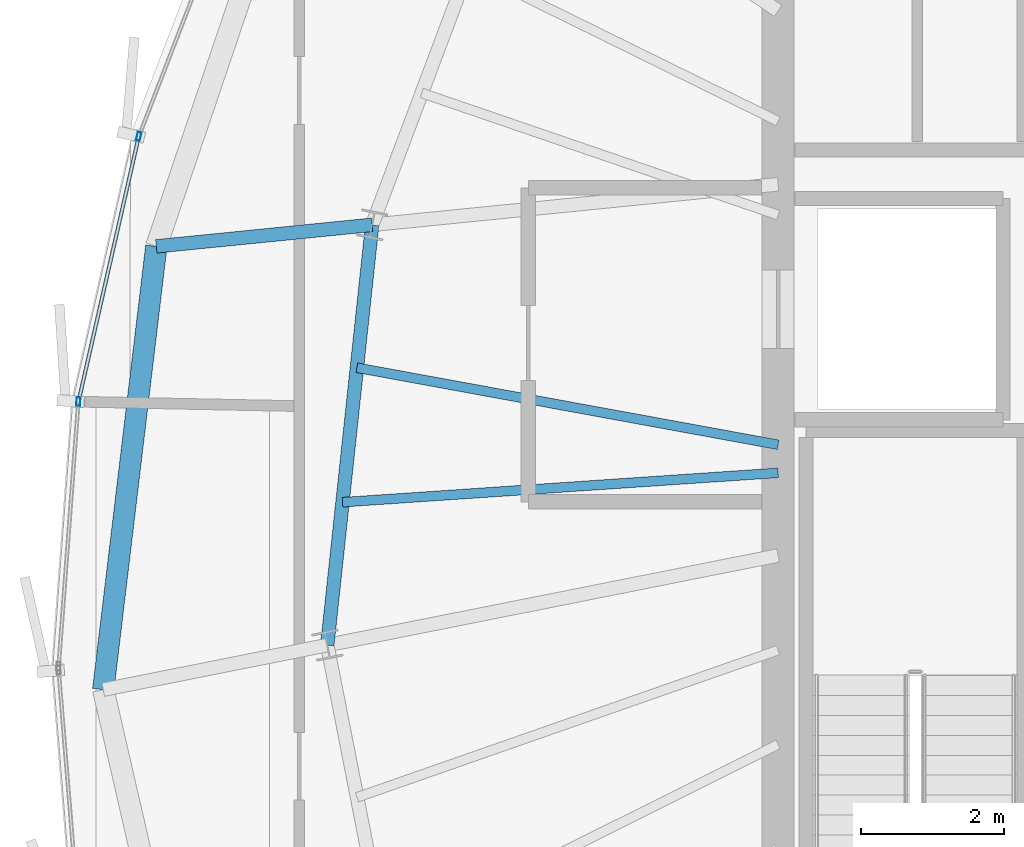
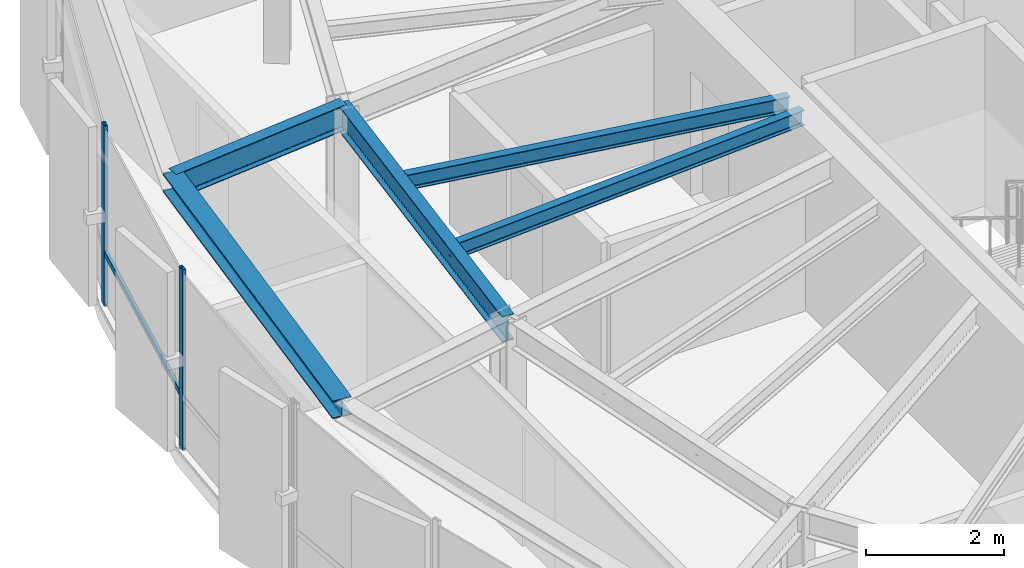
# One storey, part 11 of 30: 5 beams, 3 members, 1 element without a shape of its own.
"""IFC4 building model written with IfcOpenShell, lengths in metres."""

from ifc_helpers import new_model, si_unit, direction, frame, origin, origin_2d, place, context, subcontext, project, spatial, hollow_rectangle, i_section, extrude, source, transform, mapped, material, layer, layer_set, material_profile, profile_set, type_object, element, aggregate, save


model = new_model("IFC4")

# Units and contexts
model_context = context("Model", 3, precision=1e-05, world=origin(), true_north=direction((0.0, 1.0)))
body_context = subcontext(model_context, "Body", "Model", "MODEL_VIEW")
ifc_project = project(units=[si_unit("LENGTHUNIT", "METRE"), si_unit("AREAUNIT", "SQUARE_METRE"), si_unit("VOLUMEUNIT", "CUBIC_METRE"), si_unit("PLANEANGLEUNIT", "RADIAN"), si_unit("MASSUNIT", "GRAM", prefix="KILO"), si_unit("THERMODYNAMICTEMPERATUREUNIT", "KELVIN")], contexts=[model_context])

# Site, building, storey
site_placement = place(None, origin())
site = spatial("IfcSite", under=ifc_project, at=site_placement, CompositionType="ELEMENT")
building_placement = place(site_placement, origin())
building = spatial("IfcBuilding", under=site, at=building_placement, Name="Kethvar Cultural Tower", CompositionType="ELEMENT")
storey_placement = place(building_placement, frame((0.0, 0.0, 293.949951171875)))
storey = spatial("IfcBuildingStorey", under=building, at=storey_placement, Name="L78", CompositionType="ELEMENT", Elevation=293.949951171875)

# Beams
ifc_material_1 = material(Name="Steel S355J2", Category="steel")
ifc_material_profile_1 = material_profile(ifc_material_1, i_section(OverallWidth=0.18994140625, OverallDepth=0.449951171875, WebThickness=0.009521484375, FlangeThickness=0.0146484375, FilletRadius=0.02099609375, at=origin_2d()), Name="Steel S355J2 — IPE450")
ifc_profile_set_1 = profile_set([ifc_material_profile_1], Name="Steel S355J2 — IPE450")
beam_type_1 = type_object("IfcBeamType", Name="BM-IPE450", PredefinedType="BEAM", material=ifc_profile_set_1)
shared_shape_1 = source(origin(), body_context, "Body", "SweptSolid", [
    extrude(i_section(OverallWidth=0.18994140625, OverallDepth=0.449951171875, WebThickness=0.009521484375, FlangeThickness=0.0146484375, FilletRadius=0.02099609375, at=origin_2d()), origin(), (0.0, 0.0, 1.0), 5.92236328125),
])
beam_1_placement = place(storey_placement, frame((32.3125, 30.681884765625, 2.983154296875), z_axis=(-0.106272578913, -0.994337034899, 0.0), x_axis=(0.994337034899, -0.106272578913, 0.0)))
element("IfcBeam", 1, at=beam_1_placement, inside=storey, type_object=beam_type_1, Name="L78 Column Ring Tie Beam CR-08", PredefinedType="BEAM", context=body_context, shape_type="MappedRepresentation", body=[
    mapped(shared_shape_1, transform((0.0, 0.0, 0.0), scale=1.0)),
])
ifc_material_profile_2 = material_profile(ifc_material_1, i_section(OverallWidth=0.135009765625, OverallDepth=0.27001953125, WebThickness=0.006591796875, FlangeThickness=0.01025390625, FilletRadius=0.014892578125, at=origin_2d()), Name="Steel S355J2 — IPE270")
ifc_profile_set_2 = profile_set([ifc_material_profile_2], Name="Steel S355J2 — IPE270")
beam_type_2 = type_object("IfcBeamType", Name="BM-J270", PredefinedType="JOIST", material=ifc_profile_set_2)
shared_shape_2 = source(origin(), body_context, "Body", "SweptSolid", [
    extrude(i_section(OverallWidth=0.135009765625, OverallDepth=0.27001953125, WebThickness=0.006591796875, FlangeThickness=0.01025390625, FilletRadius=0.014892578125, at=origin_2d()), origin(), (0.0, 0.0, 1.0), 5.99951171875),
])
beam_2_placement = place(storey_placement, frame((38.0, 27.60009765625, 3.072998046875), z_axis=(-0.983676616141, 0.179945310742, 0.0), x_axis=(-0.179945310742, -0.983676616141, 0.0)))
element("IfcBeam", 2, at=beam_2_placement, inside=storey, type_object=beam_type_2, Name="L78 Composite Floor Joist J-08A", PredefinedType="JOIST", context=body_context, shape_type="MappedRepresentation", body=[
    mapped(shared_shape_2, transform((0.0, 0.0, 0.0), scale=1.0)),
])
shared_shape_3 = source(origin(), body_context, "Body", "SweptSolid", [
    extrude(i_section(OverallWidth=0.135009765625, OverallDepth=0.27001953125, WebThickness=0.006591796875, FlangeThickness=0.01025390625, FilletRadius=0.014892578125, at=origin_2d()), origin(), (0.0, 0.0, 1.0), 6.116943359375),
])
beam_3_placement = place(storey_placement, frame((38.0, 27.206787109375, 3.072998046875), z_axis=(-0.997733289627, -0.067292516454, 0.0), x_axis=(0.067292516454, -0.997733289627, 0.0)))
element("IfcBeam", 3, at=beam_3_placement, inside=storey, type_object=beam_type_2, Name="L78 Composite Floor Joist J-08B", PredefinedType="JOIST", context=body_context, shape_type="MappedRepresentation", body=[
    mapped(shared_shape_3, transform((0.0, 0.0, 0.0), scale=1.0)),
])
shared_shape_4 = source(origin(), body_context, "Body", "SweptSolid", [
    extrude(i_section(OverallWidth=0.18994140625, OverallDepth=0.449951171875, WebThickness=0.009521484375, FlangeThickness=0.0146484375, FilletRadius=0.02099609375, at=origin_2d()), origin(), (0.0, 0.0, 1.0), 3.03955078125),
])
beam_4_placement = place(storey_placement, frame((32.3125, 30.681884765625, 2.983154296875), z_axis=(-0.995043550408, -0.099440096497, 0.0), x_axis=(0.099440096497, -0.995043550408, 0.0)))
element("IfcBeam", 4, at=beam_4_placement, inside=storey, type_object=beam_type_1, Name="L78 Perimeter Cantilever Beam RC-08", PredefinedType="BEAM", context=body_context, shape_type="MappedRepresentation", body=[
    mapped(shared_shape_4, transform((0.0, 0.0, 0.0), scale=1.0)),
])
ifc_material_profile_3 = material_profile(ifc_material_1, i_section(OverallWidth=0.300048828125, OverallDepth=0.320068359375, WebThickness=0.011474609375, FlangeThickness=0.0205078125, FilletRadius=0.027099609375, at=origin_2d()), Name="Steel S355J2 — HEB320")
ifc_profile_set_3 = profile_set([ifc_material_profile_3], Name="Steel S355J2 — HEB320")
beam_type_3 = type_object("IfcBeamType", Name="BM-SP320", PredefinedType="SPANDREL", material=ifc_profile_set_3)
shared_shape_5 = source(origin(), body_context, "Body", "SweptSolid", [
    extrude(i_section(OverallWidth=0.300048828125, OverallDepth=0.320068359375, WebThickness=0.011474609375, FlangeThickness=0.0205078125, FilletRadius=0.027099609375, at=origin_2d()), origin(), (0.0, 0.0, 1.0), 6.25537109375),
])
beam_5_placement = place(storey_placement, frame((29.2880859375, 30.379638671875, 3.048095703125), z_axis=(-0.118883583999, -0.992908199914, 0.0), x_axis=(0.992908199914, -0.118883583999, 0.0)))
element("IfcBeam", 5, at=beam_5_placement, inside=storey, type_object=beam_type_3, Name="L78 Perimeter Spandrel Beam SP-08", PredefinedType="SPANDREL", context=body_context, shape_type="MappedRepresentation", body=[
    mapped(shared_shape_5, transform((0.0, 0.0, 0.0), scale=1.0)),
])

# Curtain wall, members
ifc_material_2 = material(Name="Aluminium 6063-T6", Category="aluminium")
ifc_layer = layer(ifc_material_2, 0.179931640625, Name="Aluminium 6063-T6", Category="aluminium")
ifc_layer_set = layer_set([ifc_layer], Name="Aluminium 6063-T6 (180 mm)")
curtain_wall_type = type_object("IfcCurtainWallType", Name="CW-SYS-05-Z56", PredefinedType="NOTDEFINED", material=ifc_layer_set)
curtain_wall_placement = place(storey_placement, origin())
curtain_wall = element("IfcCurtainWall", 6, at=curtain_wall_placement, inside=storey, type_object=curtain_wall_type, Name="L78 Curtain Wall Run 02", PredefinedType="NOTDEFINED")
ifc_material_profile_4 = material_profile(ifc_material_2, hollow_rectangle(XDim=0.054931640625, YDim=0.1201171875, WallThickness=0.00390625, at=origin_2d()), Name="Aluminium 6063-T6 — RHS120x55x4")
ifc_profile_set_4 = profile_set([ifc_material_profile_4], Name="Aluminium 6063-T6 — RHS120x55x4")
member_type_1 = type_object("IfcMemberType", Name="CW-SYS-05-Z56-MUL", PredefinedType="MULLION", material=ifc_profile_set_4)
shared_shape_6 = source(origin(), body_context, "Body", "SweptSolid", [
    extrude(hollow_rectangle(XDim=0.054931640625, YDim=0.1201171875, WallThickness=0.00390625, at=origin_2d()), origin(), (0.0, 0.0, 1.0), 3.2099609375),
])
member_1_placement = place(storey_placement, frame((29.042724609375, 31.919921875, 0.0), z_axis=(0.0, 0.0, 1.0), x_axis=(0.975106802076, -0.221735708772, 0.0)))
member_1 = element("IfcMember", 7, at=member_1_placement, type_object=member_type_1, Name="CW-L78-R02 Mullion 5", PredefinedType="MULLION", context=body_context, shape_type="MappedRepresentation", body=[
    mapped(shared_shape_6, transform((0.0, 0.0, 0.0), scale=1.0)),
])
member_2_placement = place(storey_placement, frame((28.196533203125, 28.20361328125, 0.0), z_axis=(0.0, 0.0, 1.0), x_axis=(0.997212547684, -0.074613234358, 0.0)))
member_2 = element("IfcMember", 8, at=member_2_placement, type_object=member_type_1, Name="CW-L78-R02 Mullion 6", PredefinedType="MULLION", context=body_context, shape_type="MappedRepresentation", body=[
    mapped(shared_shape_6, transform((0.0, 0.0, 0.0), scale=1.0)),
])
ifc_material_profile_5 = material_profile(ifc_material_2, hollow_rectangle(XDim=0.050048828125, YDim=0.10009765625, WallThickness=0.00390625, at=origin_2d()), Name="Aluminium 6063-T6 — RHS100x50x4")
ifc_profile_set_5 = profile_set([ifc_material_profile_5], Name="Aluminium 6063-T6 — RHS100x50x4")
member_type_2 = type_object("IfcMemberType", Name="CW-SYS-05-Z56-TRN", PredefinedType="USERDEFINED", material=ifc_profile_set_5)
shared_shape_7 = source(origin(), body_context, "Body", "SweptSolid", [
    extrude(hollow_rectangle(XDim=0.050048828125, YDim=0.10009765625, WallThickness=0.00390625, at=origin_2d()), origin(), (0.0, 0.0, 1.0), 3.7470703125),
])
member_3_placement = place(storey_placement, frame((29.033935546875, 31.88134765625, 0.949951171875), z_axis=(-0.221722483067, -0.975109809459, 0.0), x_axis=(0.975109809459, -0.221722483067, 0.0)))
member_3 = element("IfcMember", 9, at=member_3_placement, type_object=member_type_2, Name="CW-L78-R02 Transom 5", ObjectType="TRANSOM", PredefinedType="USERDEFINED", context=body_context, shape_type="MappedRepresentation", body=[
    mapped(shared_shape_7, transform((0.0, 0.0, 0.0), scale=1.0)),
])
aggregate(curtain_wall, [member_1, member_2, member_3])

save(model, "model.ifc")
